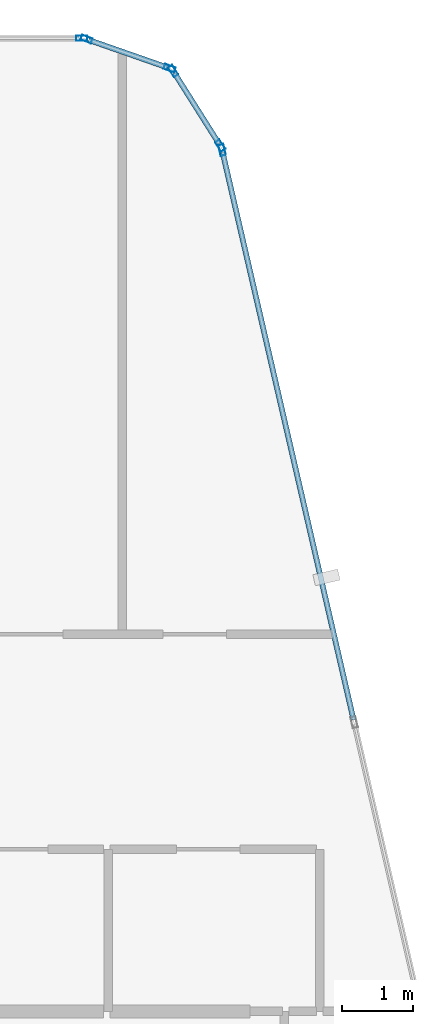
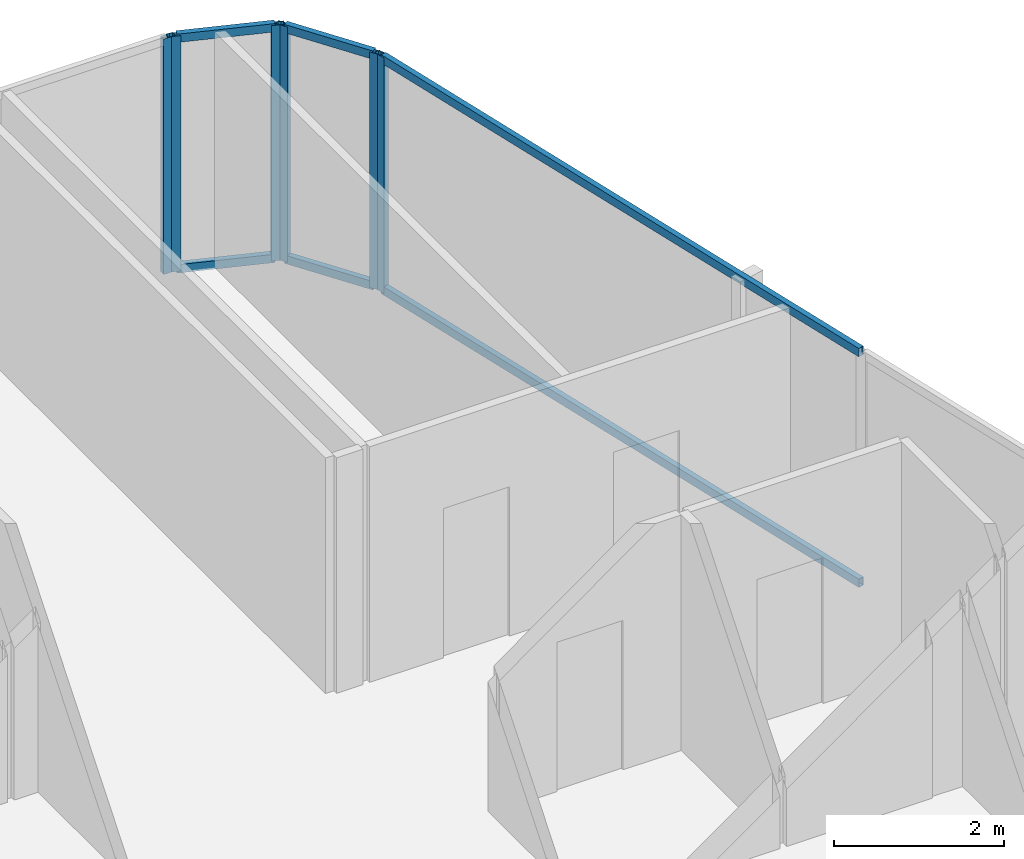
# One storey, part 21 of 29: 12 members, 4 elements without a shape of their own.
"""IFC4 building model written with IfcOpenShell, lengths in metres."""

from ifc_helpers import new_model, si_unit, direction, frame, origin, origin_2d, place, context, subcontext, project, spatial, hollow_rectangle, extrude, material, layer, layer_set, material_profile, profile_set, type_object, element, aggregate, save


model = new_model("IFC4")

# Units and contexts
model_context = context("Model", 3, precision=1e-05, world=origin(), true_north=direction((0.0, 1.0)))
body_context = subcontext(model_context, "Body", "Model", "MODEL_VIEW")
ifc_project = project(units=[si_unit("LENGTHUNIT", "METRE"), si_unit("AREAUNIT", "SQUARE_METRE"), si_unit("VOLUMEUNIT", "CUBIC_METRE"), si_unit("PLANEANGLEUNIT", "RADIAN"), si_unit("MASSUNIT", "GRAM", prefix="KILO")], contexts=[model_context])

# Site, building, storey
site_placement = place(None, origin())
site = spatial("IfcSite", under=ifc_project, at=site_placement, CompositionType="ELEMENT")
building_placement = place(site_placement, origin())
building = spatial("IfcBuilding", under=site, at=building_placement, Name="Keshet Zoharim Tower", CompositionType="ELEMENT")
storey_placement = place(building_placement, frame((0.0, 0.0, 195.800048828125)))
storey = spatial("IfcBuildingStorey", under=building, at=storey_placement, Name="L48", CompositionType="ELEMENT", Elevation=195.800048828125)

# Curtain wall, member
ifc_material = material(Name="Aluminium 6063-T6", Category="aluminium")
ifc_layer = layer(ifc_material, 0.139892578125)
ifc_layer_set = layer_set([ifc_layer], Name="Aluminium 6063-T6")
curtain_wall_type = type_object("IfcCurtainWallType", Name="CW-SYS-05", PredefinedType="NOTDEFINED", material=ifc_layer_set)
curtain_wall_1_placement = place(storey_placement, origin())
curtain_wall_1 = element("IfcCurtainWall", 1, at=curtain_wall_1_placement, inside=storey, type_object=curtain_wall_type, Name="L48 Unitised Curtain Wall 16 Part 3", PredefinedType="NOTDEFINED")
ifc_material_profile_1 = material_profile(ifc_material, hollow_rectangle(XDim=0.074951171875, YDim=0.159912109375, WallThickness=0.00390625, at=origin_2d()), Name="MUL-75x160")
ifc_profile_set_1 = profile_set([ifc_material_profile_1], Name="Aluminium 6063-T6")
member_type_1 = type_object("IfcMemberType", Name="CWM-M15", PredefinedType="MULLION", material=ifc_profile_set_1)
member_1_placement = place(storey_placement, frame((37.3740234375, 53.89990234375, 0.0), z_axis=(0.0, 0.0, 1.0), x_axis=(0.0, 1.0, 0.0)))
member_1 = element("IfcMember", 2, at=member_1_placement, type_object=member_type_1, Name="CW-05 mullion 3", PredefinedType="MULLION", context=body_context, shape_type="SweptSolid", body=[
    extrude(hollow_rectangle(XDim=0.074951171875, YDim=0.159912109375, WallThickness=0.00390625, at=origin_2d()), origin(), (0.0, 0.0, 1.0), 3.389892578125),
])
aggregate(curtain_wall_1, [member_1])

# Curtain wall, members
curtain_wall_2_placement = place(storey_placement, origin())
curtain_wall_2 = element("IfcCurtainWall", 3, at=curtain_wall_2_placement, inside=storey, type_object=curtain_wall_type, Name="L48 Unitised Curtain Wall 17", PredefinedType="NOTDEFINED")
member_2_placement = place(storey_placement, frame((37.442138671875, 53.888427734375, 0.0), z_axis=(0.0, 0.0, 1.0), x_axis=(0.329843743636, 0.944035542119, 0.0)))
member_2 = element("IfcMember", 4, at=member_2_placement, type_object=member_type_1, Name="CW-05 mullion 1", PredefinedType="MULLION", context=body_context, shape_type="SweptSolid", body=[
    extrude(hollow_rectangle(XDim=0.074951171875, YDim=0.159912109375, WallThickness=0.00390625, at=origin_2d()), origin(), (0.0, 0.0, 1.0), 3.389892578125),
])
member_3_placement = place(storey_placement, frame((38.620849609375, 53.4765625, 0.0), z_axis=(0.0, 0.0, 1.0), x_axis=(0.329843743636, 0.944035542119, 0.0)))
member_3 = element("IfcMember", 5, at=member_3_placement, type_object=member_type_1, Name="CW-05 mullion 2", PredefinedType="MULLION", context=body_context, shape_type="SweptSolid", body=[
    extrude(hollow_rectangle(XDim=0.074951171875, YDim=0.159912109375, WallThickness=0.00390625, at=origin_2d()), origin(), (0.0, 0.0, 1.0), 3.389892578125),
])

curtain_wall_3_placement = place(storey_placement, origin())
curtain_wall_3 = element("IfcCurtainWall", 6, at=curtain_wall_3_placement, inside=storey, type_object=curtain_wall_type, Name="L48 Unitised Curtain Wall 18", PredefinedType="NOTDEFINED")
member_4_placement = place(storey_placement, frame((38.672607421875, 53.435302734375, 0.0), z_axis=(0.0, 0.0, 1.0), x_axis=(0.845560976183, 0.533878858502, 0.0)))
member_4 = element("IfcMember", 7, at=member_4_placement, type_object=member_type_1, Name="CW-05 mullion 1", PredefinedType="MULLION", context=body_context, shape_type="SweptSolid", body=[
    extrude(hollow_rectangle(XDim=0.074951171875, YDim=0.159912109375, WallThickness=0.00390625, at=origin_2d()), origin(), (0.0, 0.0, 1.0), 3.389892578125),
])
member_5_placement = place(storey_placement, frame((39.33935546875, 52.379638671875, 0.0), z_axis=(0.0, 0.0, 1.0), x_axis=(0.845560976183, 0.533878858502, 0.0)))
member_5 = element("IfcMember", 8, at=member_5_placement, type_object=member_type_1, Name="CW-05 mullion 2", PredefinedType="MULLION", context=body_context, shape_type="SweptSolid", body=[
    extrude(hollow_rectangle(XDim=0.074951171875, YDim=0.159912109375, WallThickness=0.00390625, at=origin_2d()), origin(), (0.0, 0.0, 1.0), 3.389892578125),
])

# Curtain wall, member
curtain_wall_4_placement = place(storey_placement, origin())
curtain_wall_4 = element("IfcCurtainWall", 9, at=curtain_wall_4_placement, inside=storey, type_object=curtain_wall_type, Name="L48 Unitised Curtain Wall 19", PredefinedType="NOTDEFINED")
member_6_placement = place(storey_placement, frame((39.365966796875, 52.31591796875, 0.0), z_axis=(0.0, 0.0, 1.0), x_axis=(0.974393882313, 0.224847864369, 0.0)))
member_6 = element("IfcMember", 10, at=member_6_placement, type_object=member_type_1, Name="CW-05 mullion 1", PredefinedType="MULLION", context=body_context, shape_type="SweptSolid", body=[
    extrude(hollow_rectangle(XDim=0.074951171875, YDim=0.159912109375, WallThickness=0.00390625, at=origin_2d()), origin(), (0.0, 0.0, 1.0), 3.389892578125),
])

# Member
ifc_material_profile_2 = material_profile(ifc_material, hollow_rectangle(XDim=0.074951171875, YDim=0.1201171875, WallThickness=0.00390625, at=origin_2d()), Name="TRN-75x120")
ifc_profile_set_2 = profile_set([ifc_material_profile_2], Name="Aluminium 6063-T6")
member_type_2 = type_object("IfcMemberType", Name="CWT-T12", PredefinedType="USERDEFINED", material=ifc_profile_set_2)
member_7_placement = place(storey_placement, frame((37.47509765625, 53.876953125, 0.034912109375), z_axis=(0.944006789648, -0.329926023675, 0.0), x_axis=(0.329926023675, 0.944006789648, 0.0)))
member_7 = element("IfcMember", 11, at=member_7_placement, type_object=member_type_2, Name="CW-05 transom 1.1", ObjectType="TRANSOM", PredefinedType="USERDEFINED", context=body_context, shape_type="SweptSolid", body=[
    extrude(hollow_rectangle(XDim=0.074951171875, YDim=0.1201171875, WallThickness=0.00390625, at=origin_2d()), origin(), (0.0, 0.0, 1.0), 1.1787109375),
])

member_8_placement = place(storey_placement, frame((37.47509765625, 53.876953125, 3.35498046875), z_axis=(0.944006789648, -0.329926023675, 0.0), x_axis=(0.329926023675, 0.944006789648, 0.0)))
member_8 = element("IfcMember", 12, at=member_8_placement, type_object=member_type_2, Name="CW-05 transom 1.2", ObjectType="TRANSOM", PredefinedType="USERDEFINED", context=body_context, shape_type="SweptSolid", body=[
    extrude(hollow_rectangle(XDim=0.074951171875, YDim=0.1201171875, WallThickness=0.00390625, at=origin_2d()), origin(), (0.0, 0.0, 1.0), 1.1787109375),
])

aggregate(curtain_wall_2, [member_2, member_3, member_7, member_8])

member_9_placement = place(storey_placement, frame((38.69140625, 53.40576171875, 0.034912109375), z_axis=(0.53382931122, -0.845592257819, 0.0), x_axis=(0.845592257819, 0.53382931122, 0.0)))
member_9 = element("IfcMember", 13, at=member_9_placement, type_object=member_type_2, Name="CW-05 transom 1.1", ObjectType="TRANSOM", PredefinedType="USERDEFINED", context=body_context, shape_type="SweptSolid", body=[
    extrude(hollow_rectangle(XDim=0.074951171875, YDim=0.1201171875, WallThickness=0.00390625, at=origin_2d()), origin(), (0.0, 0.0, 1.0), 1.178466796875),
])

member_10_placement = place(storey_placement, frame((38.69140625, 53.40576171875, 3.35498046875), z_axis=(0.53382931122, -0.845592257819, 0.0), x_axis=(0.845592257819, 0.53382931122, 0.0)))
member_10 = element("IfcMember", 14, at=member_10_placement, type_object=member_type_2, Name="CW-05 transom 1.2", ObjectType="TRANSOM", PredefinedType="USERDEFINED", context=body_context, shape_type="SweptSolid", body=[
    extrude(hollow_rectangle(XDim=0.074951171875, YDim=0.1201171875, WallThickness=0.00390625, at=origin_2d()), origin(), (0.0, 0.0, 1.0), 1.178466796875),
])

aggregate(curtain_wall_3, [member_4, member_5, member_9, member_10])

member_11_placement = place(storey_placement, frame((39.373779296875, 52.28173828125, 0.034912109375), z_axis=(0.224835758738, -0.974396675688, 0.0), x_axis=(0.974396675688, 0.224835758738, 0.0)))
member_11 = element("IfcMember", 15, at=member_11_placement, type_object=member_type_2, Name="CW-05 transom 1.1", ObjectType="TRANSOM", PredefinedType="USERDEFINED", context=body_context, shape_type="SweptSolid", body=[
    extrude(hollow_rectangle(XDim=0.074951171875, YDim=0.1201171875, WallThickness=0.00390625, at=origin_2d()), origin(), (0.0, 0.0, 1.0), 8.259033203125),
])

member_12_placement = place(storey_placement, frame((39.373779296875, 52.28173828125, 3.35498046875), z_axis=(0.224835758738, -0.974396675688, 0.0), x_axis=(0.974396675688, 0.224835758738, 0.0)))
member_12 = element("IfcMember", 16, at=member_12_placement, type_object=member_type_2, Name="CW-05 transom 1.2", ObjectType="TRANSOM", PredefinedType="USERDEFINED", context=body_context, shape_type="SweptSolid", body=[
    extrude(hollow_rectangle(XDim=0.074951171875, YDim=0.1201171875, WallThickness=0.00390625, at=origin_2d()), origin(), (0.0, 0.0, 1.0), 8.259033203125),
])

aggregate(curtain_wall_4, [member_6, member_11, member_12])

save(model, "model.ifc")
